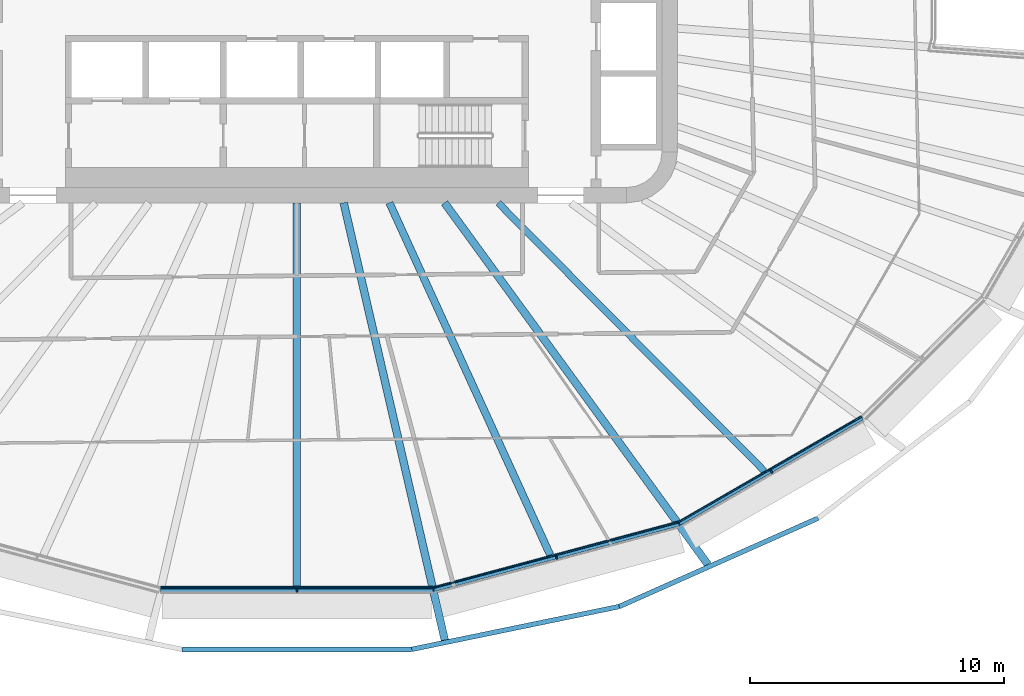
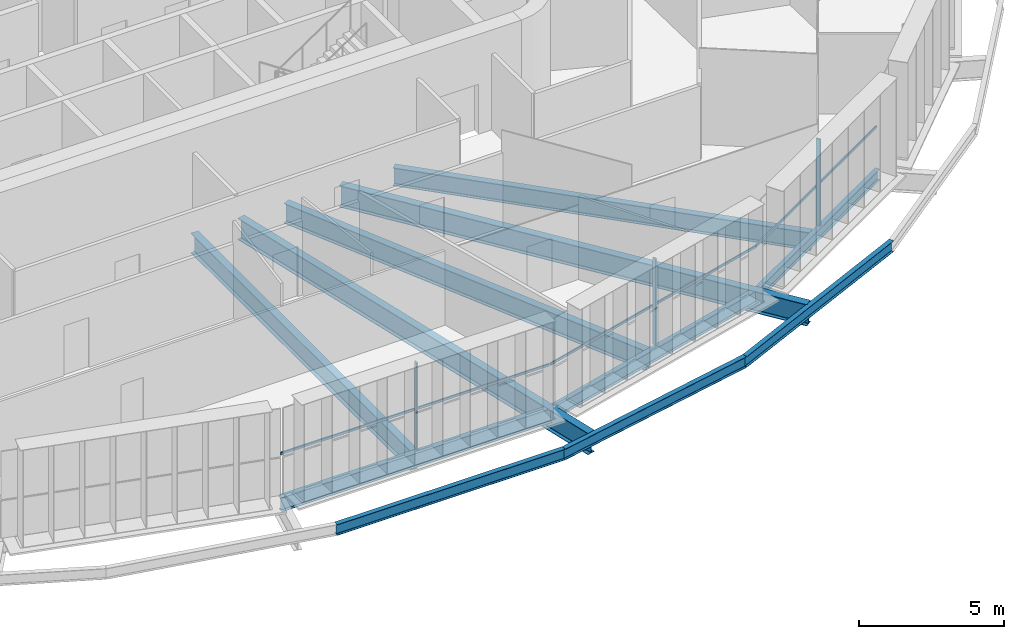
# One storey, part 4 of 24: 11 beams, 6 members, 3 elements without a shape of their own.
"""IFC4 building model written with IfcOpenShell, lengths in metres."""

from ifc_helpers import new_model, si_unit, direction, frame, origin, origin_2d, place, context, subcontext, project, spatial, rectangle, i_section, extrude, material, layer, layer_set, material_profile, profile_set, type_object, element, aggregate, save


model = new_model("IFC4")

# Units and contexts
model_context = context("Model", 3, precision=1e-05, world=origin(), true_north=direction((0.0, 1.0)))
body_context = subcontext(model_context, "Body", "Model", "MODEL_VIEW")
ifc_project = project(units=[si_unit("LENGTHUNIT", "METRE"), si_unit("AREAUNIT", "SQUARE_METRE"), si_unit("VOLUMEUNIT", "CUBIC_METRE"), si_unit("PLANEANGLEUNIT", "RADIAN"), si_unit("MASSUNIT", "GRAM", prefix="KILO")], contexts=[model_context])

# Site, building, storey
site_placement = place(None, origin())
site = spatial("IfcSite", under=ifc_project, at=site_placement, CompositionType="ELEMENT")
building_placement = place(site_placement, origin())
building = spatial("IfcBuilding", under=site, at=building_placement, Name="Sahrelin Media Tower", CompositionType="ELEMENT")
storey_placement = place(building_placement, frame((0.0, 0.0, 71.39990234375)))
storey = spatial("IfcBuildingStorey", under=building, at=storey_placement, Name="L12", CompositionType="ELEMENT", Elevation=71.39990234375)

# Beams
ifc_material_1 = material(Name="Steel S355", Category="steel")
ifc_material_profile_1 = material_profile(ifc_material_1, i_section(OverallWidth=0.1904296875, OverallDepth=0.45703125, WebThickness=0.009033203125, FlangeThickness=0.014404296875, FilletRadius=0.01025390625, at=origin_2d()), Name="UB 457x191x74")
ifc_profile_set_1 = profile_set([ifc_material_profile_1], Name="Steel S355")
beam_type_1 = type_object("IfcBeamType", Name="Edge beam EB5", PredefinedType="BEAM", material=ifc_profile_set_1)
beam_1_placement = place(storey_placement, frame((22.28759765625, -16.461181640625, -0.37841796875), z_axis=(-0.866018055373, -0.500012727605, 0.0), x_axis=(0.500012727605, -0.866018055373, 0.0)))
element("IfcBeam", 1, at=beam_1_placement, inside=storey, type_object=beam_type_1, Name="Edge beam L12-04", PredefinedType="BEAM", context=body_context, shape_type="SweptSolid", body=[
    extrude(i_section(OverallWidth=0.1904296875, OverallDepth=0.45703125, WebThickness=0.009033203125, FlangeThickness=0.014404296875, FilletRadius=0.01025390625, at=origin_2d()), origin(), (0.0, 0.0, 1.0), 8.323974609375),
])
ifc_material_profile_2 = material_profile(ifc_material_1, i_section(OverallWidth=0.208740234375, OverallDepth=0.5283203125, WebThickness=0.009521484375, FlangeThickness=0.01318359375, FilletRadius=0.0126953125, at=origin_2d()), Name="UB 533x210x82")
ifc_profile_set_2 = profile_set([ifc_material_profile_2], Name="Steel S355")
beam_type_2 = type_object("IfcBeamType", Name="Edge beam EB6", PredefinedType="BEAM", material=ifc_profile_set_2)
beam_2_placement = place(storey_placement, frame((15.05224609375, -20.63427734375, -0.4140625), z_axis=(-0.965930606835, -0.258801203202, 0.0), x_axis=(0.258801203202, -0.965930606835, 0.0)))
element("IfcBeam", 2, at=beam_2_placement, inside=storey, type_object=beam_type_2, Name="Edge beam L12-05", PredefinedType="BEAM", context=body_context, shape_type="SweptSolid", body=[
    extrude(i_section(OverallWidth=0.208740234375, OverallDepth=0.5283203125, WebThickness=0.009521484375, FlangeThickness=0.01318359375, FilletRadius=0.0126953125, at=origin_2d()), origin(), (0.0, 0.0, 1.0), 9.994873046875),
])
ifc_material_profile_3 = material_profile(ifc_material_1, i_section(OverallWidth=0.2275390625, OverallDepth=0.6025390625, WebThickness=0.010498046875, FlangeThickness=0.014892578125, FilletRadius=0.0126953125, at=origin_2d()), Name="UB 610x229x101")
ifc_profile_set_3 = profile_set([ifc_material_profile_3], Name="Steel S355")
beam_type_3 = type_object("IfcBeamType", Name="Edge beam EB7", PredefinedType="BEAM", material=ifc_profile_set_3)
beam_3_placement = place(storey_placement, frame((5.369384765625, -23.224853515625, -0.451171875), z_axis=(-1.0, 0.0, 0.0), x_axis=(0.0, -1.0, 0.0)))
element("IfcBeam", 3, at=beam_3_placement, inside=storey, type_object=beam_type_3, Name="Edge beam L12-06", PredefinedType="BEAM", context=body_context, shape_type="SweptSolid", body=[
    extrude(i_section(OverallWidth=0.2275390625, OverallDepth=0.6025390625, WebThickness=0.010498046875, FlangeThickness=0.014892578125, FilletRadius=0.0126953125, at=origin_2d()), origin(), (0.0, 0.0, 1.0), 10.73876953125),
])

# Curtain wall, member
ifc_material_2 = material(Name="Champagne anodised aluminium 6063-T6", Category="aluminium")
ifc_layer = layer(ifc_material_2, 0.14990234375)
ifc_layer_set = layer_set([ifc_layer], Name="Tower ribbon curtain wall")
curtain_wall_type = type_object("IfcCurtainWallType", Name="Tower ribbon curtain wall", PredefinedType="NOTDEFINED", material=ifc_layer_set)
curtain_wall_1_placement = place(storey_placement, frame((0.0, -23.374755859375, 0.0), z_axis=(0.0, 0.0, 1.0), x_axis=(1.0, 0.0, 0.0)))
curtain_wall_1 = element("IfcCurtainWall", 4, at=curtain_wall_1_placement, inside=storey, type_object=curtain_wall_type, Name="L12:CW:L12-18", PredefinedType="NOTDEFINED")
ifc_material_profile_4 = material_profile(ifc_material_2, rectangle(XDim=0.06005859375, YDim=0.14990234375, at=origin_2d()), Name="Mullion 60x150")
ifc_profile_set_4 = profile_set([ifc_material_profile_4], Name="Champagne anodised aluminium 6063-T6")
member_type_1 = type_object("IfcMemberType", Name="Mullion 60x150 CW1", PredefinedType="MULLION", material=ifc_profile_set_4)
member_1_placement = place(storey_placement, frame((0.0, -23.27978515625, 0.0), z_axis=(0.0, 0.0, 1.0), x_axis=(1.0, 0.0, 0.0)))
member_1 = element("IfcMember", 5, at=member_1_placement, type_object=member_type_1, Name="L12:CWM:L12-18", PredefinedType="MULLION", context=body_context, shape_type="SweptSolid", body=[
    extrude(rectangle(XDim=0.06005859375, YDim=0.14990234375, at=origin_2d()), origin(), (0.0, 0.0, 1.0), 3.648681640625),
])

curtain_wall_2_placement = place(storey_placement, frame((10.263916015625, -22.072509765625, 0.0), z_axis=(0.0, 0.0, 1.0), x_axis=(1.0, 0.0, 0.0)))
curtain_wall_2 = element("IfcCurtainWall", 6, at=curtain_wall_2_placement, inside=storey, type_object=curtain_wall_type, Name="L12:CW:L12-19", PredefinedType="NOTDEFINED")
member_2_placement = place(storey_placement, frame((10.239501953125, -21.980712890625, 0.0), z_axis=(0.0, 0.0, 1.0), x_axis=(0.965925826289, 0.258819045103, 0.0)))
member_2 = element("IfcMember", 7, at=member_2_placement, type_object=member_type_1, Name="L12:CWM:L12-19", PredefinedType="MULLION", context=body_context, shape_type="SweptSolid", body=[
    extrude(rectangle(XDim=0.06005859375, YDim=0.14990234375, at=origin_2d()), origin(), (0.0, 0.0, 1.0), 3.648681640625),
])

curtain_wall_3_placement = place(storey_placement, frame((18.75830078125, -18.672119140625, 0.0), z_axis=(0.0, 0.0, 1.0), x_axis=(1.0, 0.0, 0.0)))
curtain_wall_3 = element("IfcCurtainWall", 8, at=curtain_wall_3_placement, inside=storey, type_object=curtain_wall_type, Name="L12:CW:L12-20", PredefinedType="NOTDEFINED")
member_3_placement = place(storey_placement, frame((18.710693359375, -18.58984375, 0.0), z_axis=(0.0, 0.0, 1.0), x_axis=(0.866027149108, 0.499996976998, 0.0)))
member_3 = element("IfcMember", 9, at=member_3_placement, type_object=member_type_1, Name="L12:CWM:L12-20", PredefinedType="MULLION", context=body_context, shape_type="SweptSolid", body=[
    extrude(rectangle(XDim=0.06005859375, YDim=0.14990234375, at=origin_2d()), origin(), (0.0, 0.0, 1.0), 3.648681640625),
])

# Beams
ifc_material_profile_5 = material_profile(ifc_material_1, i_section(OverallWidth=0.30322265625, OverallDepth=0.903076171875, WebThickness=0.01513671875, FlangeThickness=0.020263671875, FilletRadius=0.01904296875, at=origin_2d()), Name="UB 914x305x201")
ifc_profile_set_5 = profile_set([ifc_material_profile_5], Name="Steel S355")
beam_type_4 = type_object("IfcBeamType", Name="Radial primary beam PB11", PredefinedType="BEAM", material=ifc_profile_set_5)
beam_4_placement = place(storey_placement, frame((1.849365234375, -8.0, -0.601318359375), z_axis=(0.225244589699, -0.974302250234, 0.0), x_axis=(0.974302250234, 0.225244589699, 0.0)))
element("IfcBeam", 10, at=beam_4_placement, inside=storey, type_object=beam_type_4, Name="Radial beam L12-19", PredefinedType="BEAM", context=body_context, shape_type="SweptSolid", body=[
    extrude(i_section(OverallWidth=0.30322265625, OverallDepth=0.903076171875, WebThickness=0.01513671875, FlangeThickness=0.020263671875, FilletRadius=0.01904296875, at=origin_2d()), origin(), (0.0, 0.0, 1.0), 17.68701171875),
])
beam_5_placement = place(storey_placement, frame((5.8251953125, -8.0, -0.601318359375), z_axis=(0.588648282878, -0.808389262091, 0.0), x_axis=(0.808389262091, 0.588648282878, 0.0)))
element("IfcBeam", 11, at=beam_5_placement, inside=storey, type_object=beam_type_4, Name="Radial beam L12-20", PredefinedType="BEAM", context=body_context, shape_type="SweptSolid", body=[
    extrude(i_section(OverallWidth=0.30322265625, OverallDepth=0.903076171875, WebThickness=0.01513671875, FlangeThickness=0.020263671875, FilletRadius=0.01904296875, at=origin_2d()), origin(), (0.0, 0.0, 1.0), 17.632080078125),
])
ifc_material_profile_6 = material_profile(ifc_material_1, i_section(OverallWidth=0.291748046875, OverallDepth=0.8349609375, WebThickness=0.013916015625, FlangeThickness=0.018798828125, FilletRadius=0.017822265625, at=origin_2d()), Name="UB 838x292x176")
ifc_profile_set_6 = profile_set([ifc_material_profile_6], Name="Steel S355")
beam_type_5 = type_object("IfcBeamType", Name="Radial secondary beam SB10", PredefinedType="BEAM", material=ifc_profile_set_6)
beam_6_placement = place(storey_placement, frame((0.0, -8.0, -0.5673828125), z_axis=(0.0, -1.0, 0.0), x_axis=(1.0, 0.0, 0.0)))
element("IfcBeam", 12, at=beam_6_placement, inside=storey, type_object=beam_type_5, Name="Secondary beam L12-15", PredefinedType="BEAM", context=body_context, shape_type="SweptSolid", body=[
    extrude(i_section(OverallWidth=0.291748046875, OverallDepth=0.8349609375, WebThickness=0.013916015625, FlangeThickness=0.018798828125, FilletRadius=0.017822265625, at=origin_2d()), origin(), (0.0, 0.0, 1.0), 15.111083984375),
])
beam_7_placement = place(storey_placement, frame((3.65234375, -8.0, -0.5673828125), z_axis=(0.415309042036, -0.909680383214, 0.0), x_axis=(0.909680383214, 0.415309042036, 0.0)))
element("IfcBeam", 13, at=beam_7_placement, inside=storey, type_object=beam_type_5, Name="Secondary beam L12-16", PredefinedType="BEAM", context=body_context, shape_type="SweptSolid", body=[
    extrude(i_section(OverallWidth=0.291748046875, OverallDepth=0.8349609375, WebThickness=0.013916015625, FlangeThickness=0.018798828125, FilletRadius=0.017822265625, at=origin_2d()), origin(), (0.0, 0.0, 1.0), 15.2607421875),
])
ifc_material_profile_7 = material_profile(ifc_material_1, i_section(OverallWidth=0.26513671875, OverallDepth=0.75390625, WebThickness=0.0126953125, FlangeThickness=0.017578125, FilletRadius=0.0166015625, at=origin_2d()), Name="UB 762x267x147")
ifc_profile_set_7 = profile_set([ifc_material_profile_7], Name="Steel S355")
beam_type_6 = type_object("IfcBeamType", Name="Radial secondary beam SB9", PredefinedType="BEAM", material=ifc_profile_set_7)
beam_8_placement = place(storey_placement, frame((7.93798828125, -8.0, -0.52685546875), z_axis=(0.704340460364, -0.709862321788, 0.0), x_axis=(0.709862321788, 0.704340460364, 0.0)))
element("IfcBeam", 14, at=beam_8_placement, inside=storey, type_object=beam_type_6, Name="Secondary beam L12-17", PredefinedType="BEAM", context=body_context, shape_type="SweptSolid", body=[
    extrude(i_section(OverallWidth=0.26513671875, OverallDepth=0.75390625, WebThickness=0.0126953125, FlangeThickness=0.017578125, FilletRadius=0.0166015625, at=origin_2d()), origin(), (0.0, 0.0, 1.0), 14.89990234375),
])
ifc_material_profile_8 = material_profile(ifc_material_1, i_section(OverallWidth=0.1904296875, OverallDepth=0.45703125, WebThickness=0.009033203125, FlangeThickness=0.014404296875, FilletRadius=0.01025390625, at=origin_2d()), Name="UB 457x191x74")
ifc_profile_set_8 = profile_set([ifc_material_profile_8], Name="Steel S355")
beam_type_7 = type_object("IfcBeamType", Name="Tie chord TC5", PredefinedType="BEAM", material=ifc_profile_set_8)
beam_9_placement = place(storey_placement, frame((-4.529296875, -25.5986328125, -0.37841796875), z_axis=(1.0, 0.0, 0.0), x_axis=(0.0, 1.0, 0.0)))
element("IfcBeam", 15, at=beam_9_placement, inside=storey, type_object=beam_type_7, Name="Tie chord L12-18", PredefinedType="BEAM", context=body_context, shape_type="SweptSolid", body=[
    extrude(i_section(OverallWidth=0.1904296875, OverallDepth=0.45703125, WebThickness=0.009033203125, FlangeThickness=0.014404296875, FilletRadius=0.01025390625, at=origin_2d()), origin(), (0.0, 0.0, 1.0), 9.05859375),
])
beam_10_placement = place(storey_placement, frame((4.529296875, -25.5986328125, -0.37841796875), z_axis=(0.979386660518, 0.201994478141, 0.0), x_axis=(-0.201994478141, 0.979386660518, 0.0)))
element("IfcBeam", 16, at=beam_10_placement, inside=storey, type_object=beam_type_7, Name="Tie chord L12-19", PredefinedType="BEAM", context=body_context, shape_type="SweptSolid", body=[
    extrude(i_section(OverallWidth=0.1904296875, OverallDepth=0.45703125, WebThickness=0.009033203125, FlangeThickness=0.014404296875, FilletRadius=0.01025390625, at=origin_2d()), origin(), (0.0, 0.0, 1.0), 8.349365234375),
])
beam_11_placement = place(storey_placement, frame((12.70654296875, -23.912109375, -0.37841796875), z_axis=(0.913836174684, 0.406083052884, 0.0), x_axis=(-0.406083052884, 0.913836174684, 0.0)))
element("IfcBeam", 17, at=beam_11_placement, inside=storey, type_object=beam_type_7, Name="Tie chord L12-20", PredefinedType="BEAM", context=body_context, shape_type="SweptSolid", body=[
    extrude(i_section(OverallWidth=0.1904296875, OverallDepth=0.45703125, WebThickness=0.009033203125, FlangeThickness=0.014404296875, FilletRadius=0.01025390625, at=origin_2d()), origin(), (0.0, 0.0, 1.0), 8.584716796875),
])

# Member
ifc_material_profile_9 = material_profile(ifc_material_2, rectangle(XDim=0.050048828125, YDim=0.10009765625, at=origin_2d()), Name="Transom 50x100")
ifc_profile_set_9 = profile_set([ifc_material_profile_9], Name="Champagne anodised aluminium 6063-T6")
member_type_2 = type_object("IfcMemberType", Name="Transom 50x100 CW1", PredefinedType="USERDEFINED", material=ifc_profile_set_9)
member_4_placement = place(storey_placement, frame((-5.353759765625, -23.1796875, 1.60009765625), z_axis=(1.0, 0.0, 0.0), x_axis=(0.0, 1.0, 0.0)))
member_4 = element("IfcMember", 18, at=member_4_placement, type_object=member_type_2, Name="L12:CWT:L12-18", ObjectType="TRANSOM", PredefinedType="USERDEFINED", context=body_context, shape_type="SweptSolid", body=[
    extrude(rectangle(XDim=0.050048828125, YDim=0.10009765625, at=origin_2d()), origin(), (0.0, 0.0, 1.0), 10.70751953125),
])

aggregate(curtain_wall_1, [member_1, member_4])

member_5_placement = place(storey_placement, frame((5.401611328125, -23.173583984375, 1.60009765625), z_axis=(0.9659214719, 0.258835295357, 0.0), x_axis=(-0.258835295357, 0.9659214719, 0.0)))
member_5 = element("IfcMember", 19, at=member_5_placement, type_object=member_type_2, Name="L12:CWT:L12-19", ObjectType="TRANSOM", PredefinedType="USERDEFINED", context=body_context, shape_type="SweptSolid", body=[
    extrude(rectangle(XDim=0.050048828125, YDim=0.10009765625, at=origin_2d()), origin(), (0.0, 0.0, 1.0), 9.96337890625),
])

aggregate(curtain_wall_2, [member_2, member_5])

member_6_placement = place(storey_placement, frame((15.070068359375, -20.576416015625, 1.60009765625), z_axis=(0.866022320763, 0.500005339912, 0.0), x_axis=(-0.500005339912, 0.866022320763, 0.0)))
member_6 = element("IfcMember", 20, at=member_6_placement, type_object=member_type_2, Name="L12:CWT:L12-20", ObjectType="TRANSOM", PredefinedType="USERDEFINED", context=body_context, shape_type="SweptSolid", body=[
    extrude(rectangle(XDim=0.050048828125, YDim=0.10009765625, at=origin_2d()), origin(), (0.0, 0.0, 1.0), 8.29248046875),
])

aggregate(curtain_wall_3, [member_3, member_6])

save(model, "model.ifc")
